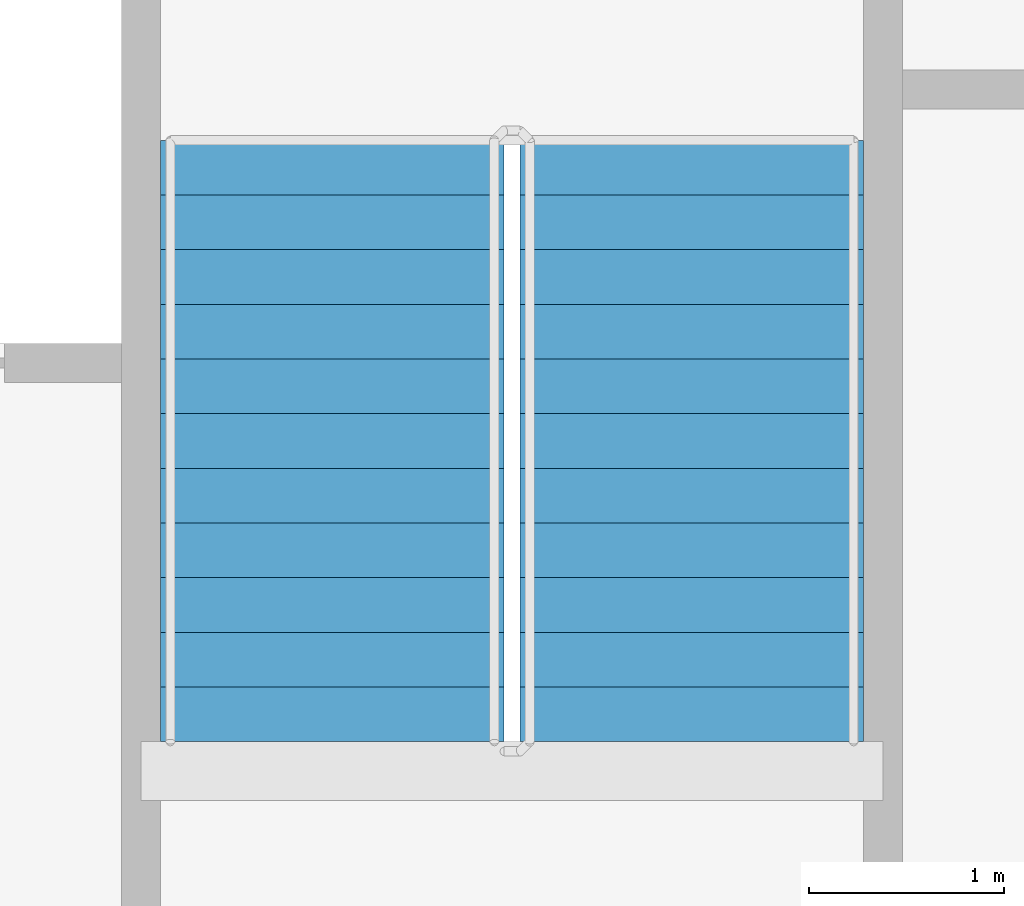
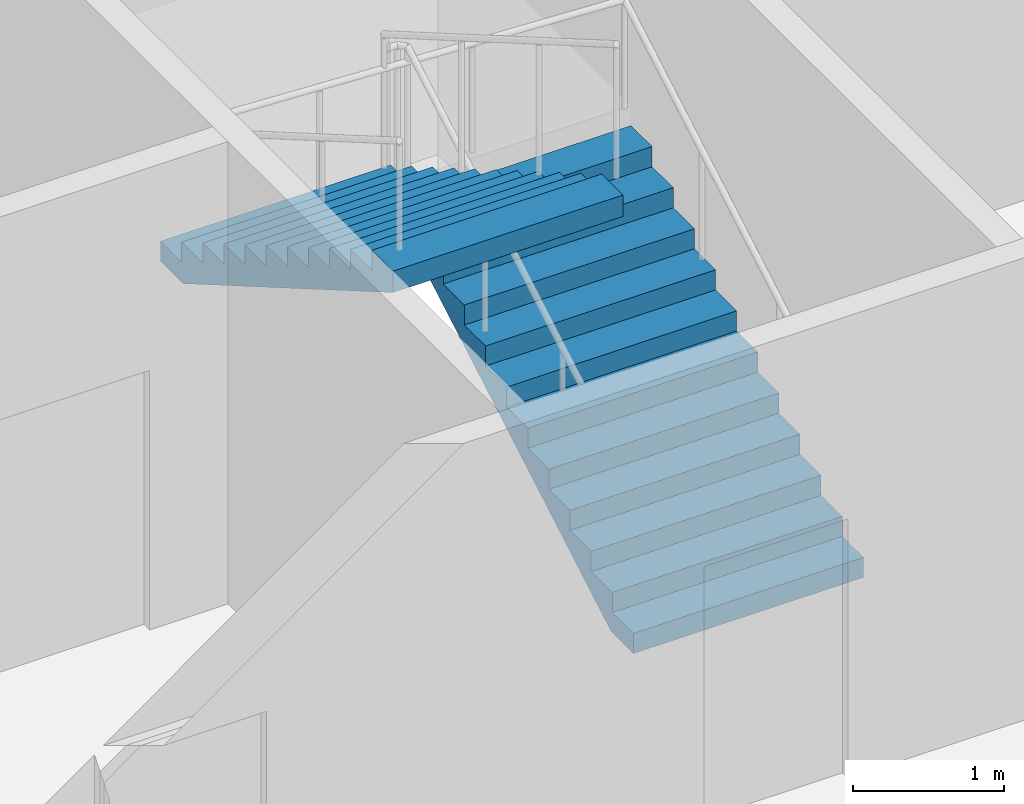
# One storey, part 17 of 22: 2 stair flights, 1 element without a shape of its own.
"""IFC4 building model written with IfcOpenShell, lengths in metres."""

from ifc_helpers import new_model, si_unit, direction, frame, origin, place, context, subcontext, project, spatial, faceted_brep, material, type_object, element, aggregate, save


model = new_model("IFC4")

# Units and contexts
model_context = context("Model", 3, precision=1e-05, world=origin(), true_north=direction((0.0, 1.0)))
body_context = subcontext(model_context, "Body", "Model", "MODEL_VIEW")
ifc_project = project(units=[si_unit("LENGTHUNIT", "METRE"), si_unit("AREAUNIT", "SQUARE_METRE"), si_unit("VOLUMEUNIT", "CUBIC_METRE"), si_unit("PLANEANGLEUNIT", "RADIAN"), si_unit("MASSUNIT", "GRAM", prefix="KILO")], contexts=[model_context])

# Site, building, storey
site_placement = place(None, origin())
site = spatial("IfcSite", under=ifc_project, at=site_placement, CompositionType="ELEMENT")
building_placement = place(site_placement, origin())
building = spatial("IfcBuilding", under=site, at=building_placement, Name="Tarsis Ring Headquarters", CompositionType="ELEMENT")
storey_placement = place(building_placement, frame((0.0, 0.0, 200.39990234375)))
storey = spatial("IfcBuildingStorey", under=building, at=storey_placement, Name="L46", CompositionType="ELEMENT", Elevation=200.39990234375)

# Stair, stair flights
ifc_material_1 = material(Name="Core stair 1760")
stair_type = type_object("IfcStairType", Name="Core stair 1760", PredefinedType="HALF_TURN_STAIR", material=ifc_material_1)
stair_placement = place(storey_placement, origin())
stair = element("IfcStair", 1, at=stair_placement, inside=storey, type_object=stair_type, Name="L46 Exit stair B", PredefinedType="HALF_TURN_STAIR")
ifc_material_2 = material(Name="Concrete C40/50", Category="concrete")
stair_flight_type = type_object("IfcStairFlightType", Name="Core stair flight 1760", PredefinedType="STRAIGHT", material=ifc_material_2)
stair_flight_1_placement = place(storey_placement, frame((5.419921875, 3.659912109375, 0.0), z_axis=(0.0, 0.0, 1.0), x_axis=(0.0, 1.0, 0.0)))
stair_flight_1 = element("IfcStairFlight", 2, at=stair_flight_1_placement, type_object=stair_flight_type, Name="Stair ST2 flight 1", NumberOfRisers=12, NumberOfTreads=11, PredefinedType="STRAIGHT", RiserHeight=0.1625, TreadLength=0.28, context=body_context, shape_type="Brep", body=[
    faceted_brep([(0.0, 0.8798828125, 0.0), (0.0, 0.8798828125, 0.16259765625), (0.280029296875, 0.8798828125, 0.16259765625), (0.280029296875, 0.8798828125, 0.324951171875), (0.56005859375, 0.8798828125, 0.324951171875), (0.56005859375, 0.8798828125, 0.487548828125), (0.840087890625, 0.8798828125, 0.487548828125), (0.840087890625, 0.8798828125, 0.64990234375), (1.1201171875, 0.8798828125, 0.64990234375), (1.1201171875, 0.8798828125, 0.8125), (1.39990234375, 0.8798828125, 0.8125), (1.39990234375, 0.8798828125, 0.97509765625), (1.679931640625, 0.8798828125, 0.97509765625), (1.679931640625, 0.8798828125, 1.137451171875), (1.9599609375, 0.8798828125, 1.137451171875), (1.9599609375, 0.8798828125, 1.300048828125), (2.239990234375, 0.8798828125, 1.300048828125), (2.239990234375, 0.8798828125, 1.46240234375), (2.52001953125, 0.8798828125, 1.46240234375), (2.52001953125, 0.8798828125, 1.625), (2.800048828125, 0.8798828125, 1.625), (2.800048828125, 0.8798828125, 1.78759765625), (3.080078125, 0.8798828125, 1.78759765625), (3.080078125, 0.8798828125, 1.6142578125), (0.298583984375, 0.8798828125, 0.0), (0.298583984375, -0.8798828125, 0.0), (3.080078125, -0.8798828125, 1.6142578125), (3.080078125, -0.8798828125, 1.78759765625), (2.800048828125, -0.8798828125, 1.78759765625), (2.800048828125, -0.8798828125, 1.625), (2.52001953125, -0.8798828125, 1.625), (2.52001953125, -0.8798828125, 1.46240234375), (2.239990234375, -0.8798828125, 1.46240234375), (2.239990234375, -0.8798828125, 1.300048828125), (1.9599609375, -0.8798828125, 1.300048828125), (1.9599609375, -0.8798828125, 1.137451171875), (1.679931640625, -0.8798828125, 1.137451171875), (1.679931640625, -0.8798828125, 0.97509765625), (1.39990234375, -0.8798828125, 0.97509765625), (1.39990234375, -0.8798828125, 0.8125), (1.1201171875, -0.8798828125, 0.8125), (1.1201171875, -0.8798828125, 0.64990234375), (0.840087890625, -0.8798828125, 0.64990234375), (0.840087890625, -0.8798828125, 0.487548828125), (0.56005859375, -0.8798828125, 0.487548828125), (0.56005859375, -0.8798828125, 0.324951171875), (0.280029296875, -0.8798828125, 0.324951171875), (0.280029296875, -0.8798828125, 0.16259765625), (0.0, -0.8798828125, 0.16259765625), (0.0, -0.8798828125, 0.0), (0.0, -0.43994140625, 0.16259765625), (0.0, -0.43994140625, 0.0), (0.0, 0.0, 0.16259765625), (0.0, 0.0, 0.0), (0.0, 0.43994140625, 0.16259765625), (0.0, 0.43994140625, 0.0), (0.280029296875, -0.43994140625, 0.16259765625), (0.280029296875, 0.0, 0.16259765625), (0.280029296875, 0.43994140625, 0.16259765625), (0.280029296875, -0.43994140625, 0.324951171875), (0.280029296875, 0.0, 0.324951171875), (0.280029296875, 0.43994140625, 0.324951171875), (0.56005859375, -0.43994140625, 0.324951171875), (0.56005859375, 0.0, 0.324951171875), (0.56005859375, 0.43994140625, 0.324951171875), (0.56005859375, -0.43994140625, 0.487548828125), (0.56005859375, 0.0, 0.487548828125), (0.56005859375, 0.43994140625, 0.487548828125), (0.840087890625, -0.43994140625, 0.487548828125), (0.840087890625, 0.0, 0.487548828125), (0.840087890625, 0.43994140625, 0.487548828125), (0.840087890625, -0.43994140625, 0.64990234375), (0.840087890625, 0.0, 0.64990234375), (0.840087890625, 0.43994140625, 0.64990234375), (1.1201171875, -0.43994140625, 0.64990234375), (1.1201171875, 0.0, 0.64990234375), (1.1201171875, 0.43994140625, 0.64990234375), (1.1201171875, -0.43994140625, 0.8125), (1.1201171875, 0.0, 0.8125), (1.1201171875, 0.43994140625, 0.8125), (1.39990234375, -0.43994140625, 0.8125), (1.39990234375, 0.0, 0.8125), (1.39990234375, 0.43994140625, 0.8125), (1.39990234375, -0.43994140625, 0.97509765625), (1.39990234375, 0.0, 0.97509765625), (1.39990234375, 0.43994140625, 0.97509765625), (1.679931640625, -0.43994140625, 0.97509765625), (1.679931640625, 0.0, 0.97509765625), (1.679931640625, 0.43994140625, 0.97509765625), (1.679931640625, -0.43994140625, 1.137451171875), (1.679931640625, 0.0, 1.137451171875), (1.679931640625, 0.43994140625, 1.137451171875), (1.9599609375, -0.43994140625, 1.137451171875), (1.9599609375, 0.0, 1.137451171875), (1.9599609375, 0.43994140625, 1.137451171875), (1.9599609375, -0.43994140625, 1.300048828125), (1.9599609375, 0.0, 1.300048828125), (1.9599609375, 0.43994140625, 1.300048828125), (2.239990234375, -0.43994140625, 1.300048828125), (2.239990234375, 0.0, 1.300048828125), (2.239990234375, 0.43994140625, 1.300048828125), (2.239990234375, -0.43994140625, 1.46240234375), (2.239990234375, 0.0, 1.46240234375), (2.239990234375, 0.43994140625, 1.46240234375), (2.52001953125, -0.43994140625, 1.46240234375), (2.52001953125, 0.0, 1.46240234375), (2.52001953125, 0.43994140625, 1.46240234375), (2.52001953125, -0.43994140625, 1.625), (2.52001953125, 0.0, 1.625), (2.52001953125, 0.43994140625, 1.625), (2.800048828125, -0.43994140625, 1.625), (2.800048828125, 0.0, 1.625), (2.800048828125, 0.43994140625, 1.625), (2.800048828125, -0.43994140625, 1.78759765625), (2.800048828125, 0.0, 1.78759765625), (2.800048828125, 0.43994140625, 1.78759765625), (3.080078125, -0.43994140625, 1.78759765625), (3.080078125, 0.0, 1.78759765625), (3.080078125, 0.43994140625, 1.78759765625), (3.080078125, -0.43994140625, 1.6142578125), (3.080078125, 0.0, 1.6142578125), (3.080078125, 0.43994140625, 1.6142578125), (0.298583984375, -0.43994140625, 0.0), (0.298583984375, 0.0, 0.0), (0.298583984375, 0.43994140625, 0.0)], [[[0, 1, 2, 3, 4, 5, 6, 7, 8, 9, 10, 11, 12, 13, 14, 15, 16, 17, 18, 19, 20, 21, 22, 23, 24]], [[25, 26, 27, 28, 29, 30, 31, 32, 33, 34, 35, 36, 37, 38, 39, 40, 41, 42, 43, 44, 45, 46, 47, 48, 49]], [[49, 48, 50, 51]], [[51, 50, 52, 53]], [[53, 52, 54, 55]], [[55, 54, 1, 0]], [[48, 47, 56, 50]], [[50, 56, 57, 52]], [[52, 57, 58, 54]], [[54, 58, 2, 1]], [[47, 46, 59, 56]], [[56, 59, 60, 57]], [[57, 60, 61, 58]], [[58, 61, 3, 2]], [[46, 45, 62, 59]], [[59, 62, 63, 60]], [[60, 63, 64, 61]], [[61, 64, 4, 3]], [[45, 44, 65, 62]], [[62, 65, 66, 63]], [[63, 66, 67, 64]], [[64, 67, 5, 4]], [[44, 43, 68, 65]], [[65, 68, 69, 66]], [[66, 69, 70, 67]], [[67, 70, 6, 5]], [[43, 42, 71, 68]], [[68, 71, 72, 69]], [[69, 72, 73, 70]], [[70, 73, 7, 6]], [[42, 41, 74, 71]], [[71, 74, 75, 72]], [[72, 75, 76, 73]], [[73, 76, 8, 7]], [[41, 40, 77, 74]], [[74, 77, 78, 75]], [[75, 78, 79, 76]], [[76, 79, 9, 8]], [[40, 39, 80, 77]], [[77, 80, 81, 78]], [[78, 81, 82, 79]], [[79, 82, 10, 9]], [[39, 38, 83, 80]], [[80, 83, 84, 81]], [[81, 84, 85, 82]], [[82, 85, 11, 10]], [[38, 37, 86, 83]], [[83, 86, 87, 84]], [[84, 87, 88, 85]], [[85, 88, 12, 11]], [[37, 36, 89, 86]], [[86, 89, 90, 87]], [[87, 90, 91, 88]], [[88, 91, 13, 12]], [[36, 35, 92, 89]], [[89, 92, 93, 90]], [[90, 93, 94, 91]], [[91, 94, 14, 13]], [[35, 34, 95, 92]], [[92, 95, 96, 93]], [[93, 96, 97, 94]], [[94, 97, 15, 14]], [[34, 33, 98, 95]], [[95, 98, 99, 96]], [[96, 99, 100, 97]], [[97, 100, 16, 15]], [[33, 32, 101, 98]], [[98, 101, 102, 99]], [[99, 102, 103, 100]], [[100, 103, 17, 16]], [[32, 31, 104, 101]], [[101, 104, 105, 102]], [[102, 105, 106, 103]], [[103, 106, 18, 17]], [[31, 30, 107, 104]], [[104, 107, 108, 105]], [[105, 108, 109, 106]], [[106, 109, 19, 18]], [[30, 29, 110, 107]], [[107, 110, 111, 108]], [[108, 111, 112, 109]], [[109, 112, 20, 19]], [[29, 28, 113, 110]], [[110, 113, 114, 111]], [[111, 114, 115, 112]], [[112, 115, 21, 20]], [[28, 27, 116, 113]], [[113, 116, 117, 114]], [[114, 117, 118, 115]], [[115, 118, 22, 21]], [[27, 26, 119, 116]], [[116, 119, 120, 117]], [[117, 120, 121, 118]], [[118, 121, 23, 22]], [[26, 25, 122, 119]], [[119, 122, 123, 120]], [[120, 123, 124, 121]], [[121, 124, 24, 23]], [[25, 49, 51, 122]], [[122, 51, 53, 123]], [[123, 53, 55, 124]], [[124, 55, 0, 24]]]),
])
stair_flight_2_placement = place(storey_placement, frame((3.580078125, 6.739990234375, 1.9501953125), z_axis=(0.0, 0.0, 1.0), x_axis=(0.0, -1.0, 0.0)))
stair_flight_2 = element("IfcStairFlight", 3, at=stair_flight_2_placement, type_object=stair_flight_type, Name="Stair ST2 flight 2", NumberOfRisers=12, NumberOfTreads=11, PredefinedType="STRAIGHT", RiserHeight=0.1625, TreadLength=0.28, context=body_context, shape_type="Brep", body=[
    faceted_brep([(0.0, 0.8798828125, 0.0), (0.0, 0.8798828125, 0.16259765625), (0.280029296875, 0.8798828125, 0.16259765625), (0.280029296875, 0.8798828125, 0.324951171875), (0.56005859375, 0.8798828125, 0.324951171875), (0.56005859375, 0.8798828125, 0.487548828125), (0.840087890625, 0.8798828125, 0.487548828125), (0.840087890625, 0.8798828125, 0.64990234375), (1.1201171875, 0.8798828125, 0.64990234375), (1.1201171875, 0.8798828125, 0.8125), (1.39990234375, 0.8798828125, 0.8125), (1.39990234375, 0.8798828125, 0.97509765625), (1.679931640625, 0.8798828125, 0.97509765625), (1.679931640625, 0.8798828125, 1.137451171875), (1.9599609375, 0.8798828125, 1.137451171875), (1.9599609375, 0.8798828125, 1.300048828125), (2.239990234375, 0.8798828125, 1.300048828125), (2.239990234375, 0.8798828125, 1.46240234375), (2.52001953125, 0.8798828125, 1.46240234375), (2.52001953125, 0.8798828125, 1.625), (2.800048828125, 0.8798828125, 1.625), (2.800048828125, 0.8798828125, 1.78759765625), (3.080078125, 0.8798828125, 1.78759765625), (3.080078125, 0.8798828125, 1.6142578125), (0.298583984375, 0.8798828125, 0.0), (0.298583984375, -0.8798828125, 0.0), (3.080078125, -0.8798828125, 1.6142578125), (3.080078125, -0.8798828125, 1.78759765625), (2.800048828125, -0.8798828125, 1.78759765625), (2.800048828125, -0.8798828125, 1.625), (2.52001953125, -0.8798828125, 1.625), (2.52001953125, -0.8798828125, 1.46240234375), (2.239990234375, -0.8798828125, 1.46240234375), (2.239990234375, -0.8798828125, 1.300048828125), (1.9599609375, -0.8798828125, 1.300048828125), (1.9599609375, -0.8798828125, 1.137451171875), (1.679931640625, -0.8798828125, 1.137451171875), (1.679931640625, -0.8798828125, 0.97509765625), (1.39990234375, -0.8798828125, 0.97509765625), (1.39990234375, -0.8798828125, 0.8125), (1.1201171875, -0.8798828125, 0.8125), (1.1201171875, -0.8798828125, 0.64990234375), (0.840087890625, -0.8798828125, 0.64990234375), (0.840087890625, -0.8798828125, 0.487548828125), (0.56005859375, -0.8798828125, 0.487548828125), (0.56005859375, -0.8798828125, 0.324951171875), (0.280029296875, -0.8798828125, 0.324951171875), (0.280029296875, -0.8798828125, 0.16259765625), (0.0, -0.8798828125, 0.16259765625), (0.0, -0.8798828125, 0.0), (0.0, -0.43994140625, 0.16259765625), (0.0, -0.43994140625, 0.0), (0.0, 0.0, 0.16259765625), (0.0, 0.0, 0.0), (0.0, 0.43994140625, 0.16259765625), (0.0, 0.43994140625, 0.0), (0.280029296875, -0.43994140625, 0.16259765625), (0.280029296875, 0.0, 0.16259765625), (0.280029296875, 0.43994140625, 0.16259765625), (0.280029296875, -0.43994140625, 0.324951171875), (0.280029296875, 0.0, 0.324951171875), (0.280029296875, 0.43994140625, 0.324951171875), (0.56005859375, -0.43994140625, 0.324951171875), (0.56005859375, 0.0, 0.324951171875), (0.56005859375, 0.43994140625, 0.324951171875), (0.56005859375, -0.43994140625, 0.487548828125), (0.56005859375, 0.0, 0.487548828125), (0.56005859375, 0.43994140625, 0.487548828125), (0.840087890625, -0.43994140625, 0.487548828125), (0.840087890625, 0.0, 0.487548828125), (0.840087890625, 0.43994140625, 0.487548828125), (0.840087890625, -0.43994140625, 0.64990234375), (0.840087890625, 0.0, 0.64990234375), (0.840087890625, 0.43994140625, 0.64990234375), (1.1201171875, -0.43994140625, 0.64990234375), (1.1201171875, 0.0, 0.64990234375), (1.1201171875, 0.43994140625, 0.64990234375), (1.1201171875, -0.43994140625, 0.8125), (1.1201171875, 0.0, 0.8125), (1.1201171875, 0.43994140625, 0.8125), (1.39990234375, -0.43994140625, 0.8125), (1.39990234375, 0.0, 0.8125), (1.39990234375, 0.43994140625, 0.8125), (1.39990234375, -0.43994140625, 0.97509765625), (1.39990234375, 0.0, 0.97509765625), (1.39990234375, 0.43994140625, 0.97509765625), (1.679931640625, -0.43994140625, 0.97509765625), (1.679931640625, 0.0, 0.97509765625), (1.679931640625, 0.43994140625, 0.97509765625), (1.679931640625, -0.43994140625, 1.137451171875), (1.679931640625, 0.0, 1.137451171875), (1.679931640625, 0.43994140625, 1.137451171875), (1.9599609375, -0.43994140625, 1.137451171875), (1.9599609375, 0.0, 1.137451171875), (1.9599609375, 0.43994140625, 1.137451171875), (1.9599609375, -0.43994140625, 1.300048828125), (1.9599609375, 0.0, 1.300048828125), (1.9599609375, 0.43994140625, 1.300048828125), (2.239990234375, -0.43994140625, 1.300048828125), (2.239990234375, 0.0, 1.300048828125), (2.239990234375, 0.43994140625, 1.300048828125), (2.239990234375, -0.43994140625, 1.46240234375), (2.239990234375, 0.0, 1.46240234375), (2.239990234375, 0.43994140625, 1.46240234375), (2.52001953125, -0.43994140625, 1.46240234375), (2.52001953125, 0.0, 1.46240234375), (2.52001953125, 0.43994140625, 1.46240234375), (2.52001953125, -0.43994140625, 1.625), (2.52001953125, 0.0, 1.625), (2.52001953125, 0.43994140625, 1.625), (2.800048828125, -0.43994140625, 1.625), (2.800048828125, 0.0, 1.625), (2.800048828125, 0.43994140625, 1.625), (2.800048828125, -0.43994140625, 1.78759765625), (2.800048828125, 0.0, 1.78759765625), (2.800048828125, 0.43994140625, 1.78759765625), (3.080078125, -0.43994140625, 1.78759765625), (3.080078125, 0.0, 1.78759765625), (3.080078125, 0.43994140625, 1.78759765625), (3.080078125, -0.43994140625, 1.6142578125), (3.080078125, 0.0, 1.6142578125), (3.080078125, 0.43994140625, 1.6142578125), (0.298583984375, -0.43994140625, 0.0), (0.298583984375, 0.0, 0.0), (0.298583984375, 0.43994140625, 0.0)], [[[0, 1, 2, 3, 4, 5, 6, 7, 8, 9, 10, 11, 12, 13, 14, 15, 16, 17, 18, 19, 20, 21, 22, 23, 24]], [[25, 26, 27, 28, 29, 30, 31, 32, 33, 34, 35, 36, 37, 38, 39, 40, 41, 42, 43, 44, 45, 46, 47, 48, 49]], [[49, 48, 50, 51]], [[51, 50, 52, 53]], [[53, 52, 54, 55]], [[55, 54, 1, 0]], [[48, 47, 56, 50]], [[50, 56, 57, 52]], [[52, 57, 58, 54]], [[54, 58, 2, 1]], [[47, 46, 59, 56]], [[56, 59, 60, 57]], [[57, 60, 61, 58]], [[58, 61, 3, 2]], [[46, 45, 62, 59]], [[59, 62, 63, 60]], [[60, 63, 64, 61]], [[61, 64, 4, 3]], [[45, 44, 65, 62]], [[62, 65, 66, 63]], [[63, 66, 67, 64]], [[64, 67, 5, 4]], [[44, 43, 68, 65]], [[65, 68, 69, 66]], [[66, 69, 70, 67]], [[67, 70, 6, 5]], [[43, 42, 71, 68]], [[68, 71, 72, 69]], [[69, 72, 73, 70]], [[70, 73, 7, 6]], [[42, 41, 74, 71]], [[71, 74, 75, 72]], [[72, 75, 76, 73]], [[73, 76, 8, 7]], [[41, 40, 77, 74]], [[74, 77, 78, 75]], [[75, 78, 79, 76]], [[76, 79, 9, 8]], [[40, 39, 80, 77]], [[77, 80, 81, 78]], [[78, 81, 82, 79]], [[79, 82, 10, 9]], [[39, 38, 83, 80]], [[80, 83, 84, 81]], [[81, 84, 85, 82]], [[82, 85, 11, 10]], [[38, 37, 86, 83]], [[83, 86, 87, 84]], [[84, 87, 88, 85]], [[85, 88, 12, 11]], [[37, 36, 89, 86]], [[86, 89, 90, 87]], [[87, 90, 91, 88]], [[88, 91, 13, 12]], [[36, 35, 92, 89]], [[89, 92, 93, 90]], [[90, 93, 94, 91]], [[91, 94, 14, 13]], [[35, 34, 95, 92]], [[92, 95, 96, 93]], [[93, 96, 97, 94]], [[94, 97, 15, 14]], [[34, 33, 98, 95]], [[95, 98, 99, 96]], [[96, 99, 100, 97]], [[97, 100, 16, 15]], [[33, 32, 101, 98]], [[98, 101, 102, 99]], [[99, 102, 103, 100]], [[100, 103, 17, 16]], [[32, 31, 104, 101]], [[101, 104, 105, 102]], [[102, 105, 106, 103]], [[103, 106, 18, 17]], [[31, 30, 107, 104]], [[104, 107, 108, 105]], [[105, 108, 109, 106]], [[106, 109, 19, 18]], [[30, 29, 110, 107]], [[107, 110, 111, 108]], [[108, 111, 112, 109]], [[109, 112, 20, 19]], [[29, 28, 113, 110]], [[110, 113, 114, 111]], [[111, 114, 115, 112]], [[112, 115, 21, 20]], [[28, 27, 116, 113]], [[113, 116, 117, 114]], [[114, 117, 118, 115]], [[115, 118, 22, 21]], [[27, 26, 119, 116]], [[116, 119, 120, 117]], [[117, 120, 121, 118]], [[118, 121, 23, 22]], [[26, 25, 122, 119]], [[119, 122, 123, 120]], [[120, 123, 124, 121]], [[121, 124, 24, 23]], [[25, 49, 51, 122]], [[122, 51, 53, 123]], [[123, 53, 55, 124]], [[124, 55, 0, 24]]]),
])
aggregate(stair, [stair_flight_1, stair_flight_2])

save(model, "model.ifc")
